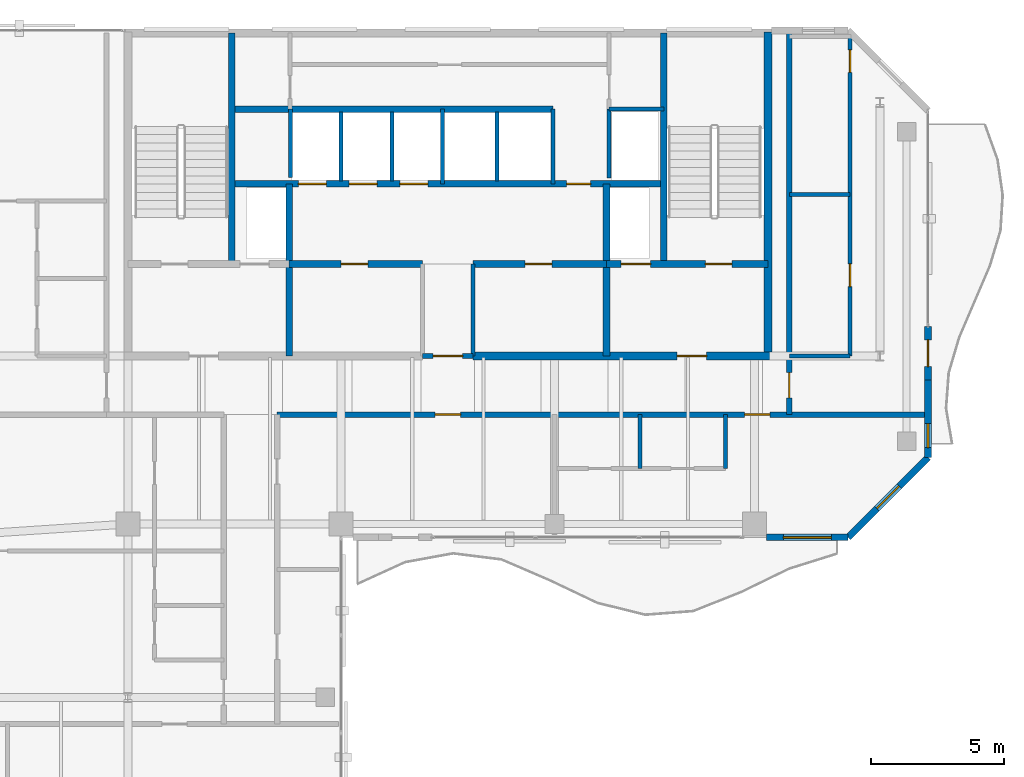
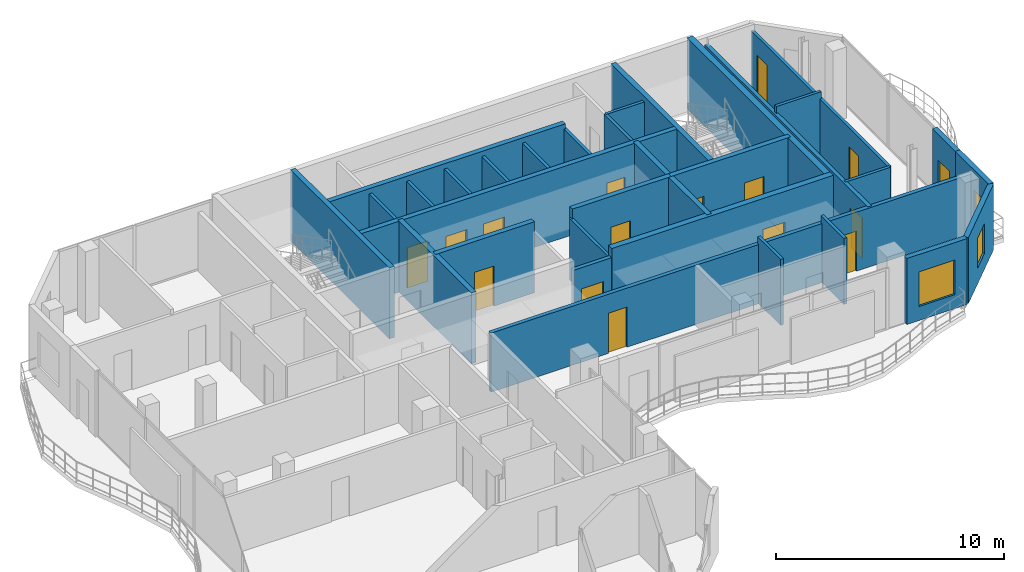
# One storey, part 19 of 22: 32 walls, 16 doors, 3 windows, 19 openings.
"""IFC4 building model written with IfcOpenShell, lengths in metres."""

from ifc_helpers import new_model, si_unit, direction, frame, frame_2d, origin, place, context, subcontext, project, spatial, rectangle, extrude, material, layer, layer_set, type_object, element, fill, save


model = new_model("IFC4")

# Units and contexts
model_context = context("Model", 3, precision=1e-05, world=origin(), true_north=direction((0.0, 1.0)))
body_context = subcontext(model_context, "Body", "Model", "MODEL_VIEW")
ifc_project = project(units=[si_unit("LENGTHUNIT", "METRE"), si_unit("AREAUNIT", "SQUARE_METRE"), si_unit("VOLUMEUNIT", "CUBIC_METRE"), si_unit("PLANEANGLEUNIT", "RADIAN"), si_unit("MASSUNIT", "GRAM", prefix="KILO")], contexts=[model_context])

# Site, building, storey
site_placement = place(None, origin())
site = spatial("IfcSite", under=ifc_project, at=site_placement, CompositionType="ELEMENT")
building_placement = place(site_placement, origin())
building = spatial("IfcBuilding", under=site, at=building_placement, Name="Catumbela Crestline Tower", CompositionType="ELEMENT")
storey_placement = place(building_placement, frame((0.0, 0.0, 256.4)))
storey = spatial("IfcBuildingStorey", under=building, at=storey_placement, Name="L66", CompositionType="ELEMENT", Elevation=256.4)

# Walls
ifc_material_1 = material(Name="Concrete C50/60", Category="concrete")
ifc_layer_1 = layer(ifc_material_1, 0.25, Name="Concrete C50/60")
ifc_layer_set_1 = layer_set([ifc_layer_1], Name="Concrete C50/60")
wall_type_1 = type_object("IfcWallType", Name="CW-250D", PredefinedType="SHEAR", material=ifc_layer_set_1)
for number, where, z_axis, x_axis, name in (
    (1, (19.9, 34.25, 0.0), (0.0, 0.0, 1.0), (0.0, 1.0, 0.0), "L66 Structural Core Shear Wall WWEB"),
    (2, (36.1, 34.25, 0.0), (0.0, 0.0, 1.0), (0.0, 1.0, 0.0), "L66 Structural Core Shear Wall EWEB"),
):
    element("IfcWall", number, at=place(storey_placement, frame(where, z_axis=z_axis, x_axis=x_axis)), inside=storey, type_object=wall_type_1, Name=name, PredefinedType="SHEAR", context=body_context, shape_type="SweptSolid", body=[
        extrude(rectangle(XDim=8.65, YDim=0.25, at=frame_2d((4.325, 0.0))), origin(), (0.0, 0.0, 1.0), 3.8),
    ])
for number, where, z_axis, x_axis, name in (
    (3, (22.05, 30.8, 0.0), (0.0, 0.0, 1.0), (0.0, 1.0, 0.0), "L66 Structural Core Shear Wall FFW"),
    (4, (33.95, 30.8, 0.0), (0.0, 0.0, 1.0), (0.0, 1.0, 0.0), "L66 Structural Core Shear Wall FFE"),
):
    element("IfcWall", number, at=place(storey_placement, frame(where, z_axis=z_axis, x_axis=x_axis)), inside=storey, type_object=wall_type_1, Name=name, PredefinedType="SHEAR", context=body_context, shape_type="SweptSolid", body=[
        extrude(rectangle(XDim=6.45, YDim=0.25, at=frame_2d((3.225, 0.0))), origin(), (0.0, 0.0, 1.0), 3.8),
    ])

# Wall, openings, doors
wall_1_placement = place(storey_placement, frame((33.95, 34.25, 0.0), z_axis=(0.0, 0.0, 1.0), x_axis=(1.0, 0.0, 0.0)))
wall_1 = element("IfcWall", 5, at=wall_1_placement, inside=storey, type_object=wall_type_1, Name="L66 Structural Core Shear Wall ST2S", PredefinedType="SHEAR", context=body_context, shape_type="SweptSolid", body=[
    extrude(rectangle(XDim=6.05, YDim=0.25, at=frame_2d((3.025, 0.0))), origin(), (0.0, 0.0, 1.0), 3.8),
])
opening_1_placement = place(wall_1_placement, frame((3.7, 0.0, 0.0)))
opening_1 = element("IfcOpeningElement", 6, at=opening_1_placement, cuts=wall_1, Name="Opening DF9-100", PredefinedType="OPENING", context=body_context, shape_type="SweptSolid", body=[
    extrude(rectangle(XDim=1.0, YDim=2.15, at=frame_2d((0.5, 1.075))), frame((0.0, 0.135, 0.0), z_axis=(0.0, -1.0, 0.0), x_axis=(1.0, 0.0, 0.0)), (0.0, 0.0, 1.0), 0.27),
])
opening_2_placement = place(wall_1_placement, frame((0.55, 0.0, 0.0)))
opening_2 = element("IfcOpeningElement", 7, at=opening_2_placement, cuts=wall_1, Name="Opening LD-110", PredefinedType="OPENING", context=body_context, shape_type="SweptSolid", body=[
    extrude(rectangle(XDim=1.1, YDim=2.15, at=frame_2d((0.55, 1.075))), frame((0.0, 0.135, 0.0), z_axis=(0.0, -1.0, 0.0), x_axis=(1.0, 0.0, 0.0)), (0.0, 0.0, 1.0), 0.27),
])
ifc_material_2 = material(Name="Stainless steel EN 1.4401", Category="steel")
door_type_1 = type_object("IfcDoorType", Name="DF9-100", OperationType="NOTDEFINED", PredefinedType="DOOR", material=ifc_material_2)
door_1_placement = place(opening_1_placement, origin())
door_1 = element("IfcDoor", 8, at=door_1_placement, inside=storey, type_object=door_type_1, Name="L66 Interior Door DR-L66-ST02", OperationType="SINGLE_SWING_RIGHT", OverallHeight=2.15, OverallWidth=1.0, PredefinedType="DOOR", context=body_context, shape_type="SweptSolid", body=[
    extrude(rectangle(XDim=1.0, YDim=2.15, at=frame_2d((0.5, 1.075))), frame((0.0, 0.025, 0.0), z_axis=(0.0, -1.0, 0.0), x_axis=(1.0, 0.0, 0.0)), (0.0, 0.0, 1.0), 0.05),
])
fill(opening_1, door_1)
door_type_2 = type_object("IfcDoorType", Name="LD-110", OperationType="NOTDEFINED", PredefinedType="DOOR", material=ifc_material_2)
door_2_placement = place(opening_2_placement, origin())
door_2 = element("IfcDoor", 9, at=door_2_placement, inside=storey, type_object=door_type_2, Name="L66 Lift Landing Sliding Door FL-02", OperationType="DOUBLE_DOOR_SLIDING", OverallHeight=2.15, OverallWidth=1.1, PredefinedType="DOOR", context=body_context, shape_type="SweptSolid", body=[
    extrude(rectangle(XDim=1.1, YDim=2.15, at=frame_2d((0.55, 1.075))), frame((0.0, 0.025, 0.0), z_axis=(0.0, -1.0, 0.0), x_axis=(1.0, 0.0, 0.0)), (0.0, 0.0, 1.0), 0.05),
])
fill(opening_2, door_2)

# Wall, opening, door
wall_2_placement = place(storey_placement, frame((22.05, 34.25, 0.0), z_axis=(0.0, 0.0, 1.0), x_axis=(1.0, 0.0, 0.0)))
wall_2 = element("IfcWall", 10, at=wall_2_placement, inside=storey, type_object=wall_type_1, Name="L66 Structural Core Shear Wall LIFTS-W", PredefinedType="SHEAR", context=body_context, shape_type="SweptSolid", body=[
    extrude(rectangle(XDim=5.0, YDim=0.25, at=frame_2d((2.5, 0.0))), origin(), (0.0, 0.0, 1.0), 3.8),
])
opening_3_placement = place(wall_2_placement, frame((1.95, 0.0, 0.0)))
opening_3 = element("IfcOpeningElement", 11, at=opening_3_placement, cuts=wall_2, Name="Opening DF9-100", PredefinedType="OPENING", context=body_context, shape_type="SweptSolid", body=[
    extrude(rectangle(XDim=1.0, YDim=2.15, at=frame_2d((0.5, 1.075))), frame((0.0, 0.135, 0.0), z_axis=(0.0, -1.0, 0.0), x_axis=(1.0, 0.0, 0.0)), (0.0, 0.0, 1.0), 0.27),
])
door_3_placement = place(opening_3_placement, origin())
door_3 = element("IfcDoor", 12, at=door_3_placement, inside=storey, type_object=door_type_1, Name="L66 Interior Door DR-L66-RECL1", OperationType="SINGLE_SWING_LEFT", OverallHeight=2.15, OverallWidth=1.0, PredefinedType="DOOR", context=body_context, shape_type="SweptSolid", body=[
    extrude(rectangle(XDim=1.0, YDim=2.15, at=frame_2d((0.5, 1.075))), frame((0.0, 0.025, 0.0), z_axis=(0.0, -1.0, 0.0), x_axis=(1.0, 0.0, 0.0)), (0.0, 0.0, 1.0), 0.05),
])
fill(opening_3, door_3)

wall_3_placement = place(storey_placement, frame((28.95, 34.25, 0.0), z_axis=(0.0, 0.0, 1.0), x_axis=(1.0, 0.0, 0.0)))
wall_3 = element("IfcWall", 13, at=wall_3_placement, inside=storey, type_object=wall_type_1, Name="L66 Structural Core Shear Wall LIFTS-E", PredefinedType="SHEAR", context=body_context, shape_type="SweptSolid", body=[
    extrude(rectangle(XDim=5.0, YDim=0.25, at=frame_2d((2.5, 0.0))), origin(), (0.0, 0.0, 1.0), 3.8),
])
opening_4_placement = place(wall_3_placement, frame((1.95, 0.0, 0.0)))
opening_4 = element("IfcOpeningElement", 14, at=opening_4_placement, cuts=wall_3, Name="Opening DF9-100", PredefinedType="OPENING", context=body_context, shape_type="SweptSolid", body=[
    extrude(rectangle(XDim=1.0, YDim=2.15, at=frame_2d((0.5, 1.075))), frame((0.0, 0.135, 0.0), z_axis=(0.0, -1.0, 0.0), x_axis=(1.0, 0.0, 0.0)), (0.0, 0.0, 1.0), 0.27),
])
door_4_placement = place(opening_4_placement, origin())
door_4 = element("IfcDoor", 15, at=door_4_placement, inside=storey, type_object=door_type_1, Name="L66 Interior Door DR-L66-RECL2", OperationType="SINGLE_SWING_RIGHT", OverallHeight=2.15, OverallWidth=1.0, PredefinedType="DOOR", context=body_context, shape_type="SweptSolid", body=[
    extrude(rectangle(XDim=1.0, YDim=2.15, at=frame_2d((0.5, 1.075))), frame((0.0, 0.025, 0.0), z_axis=(0.0, -1.0, 0.0), x_axis=(1.0, 0.0, 0.0)), (0.0, 0.0, 1.0), 0.05),
])
fill(opening_4, door_4)

# Wall, openings, doors
wall_4_placement = place(storey_placement, frame((19.9, 37.25, 0.0), z_axis=(0.0, 0.0, 1.0), x_axis=(1.0, 0.0, 0.0)))
wall_4 = element("IfcWall", 16, at=wall_4_placement, inside=storey, type_object=wall_type_1, Name="L66 Structural Core Shear Wall LIFTN", PredefinedType="SHEAR", context=body_context, shape_type="SweptSolid", body=[
    extrude(rectangle(XDim=16.2, YDim=0.25, at=frame_2d((8.1, 0.0))), origin(), (0.0, 0.0, 1.0), 3.8),
])
opening_5_placement = place(wall_4_placement, frame((12.55, 0.0, 0.0)))
opening_5 = element("IfcOpeningElement", 17, at=opening_5_placement, cuts=wall_4, Name="Opening DF9-090", PredefinedType="OPENING", context=body_context, shape_type="SweptSolid", body=[
    extrude(rectangle(XDim=0.9, YDim=2.15, at=frame_2d((0.45, 1.075))), frame((0.0, 0.135, 0.0), z_axis=(0.0, -1.0, 0.0), x_axis=(1.0, 0.0, 0.0)), (0.0, 0.0, 1.0), 0.27),
])
opening_6_placement = place(wall_4_placement, frame((2.5, 0.0, 0.0)))
opening_6 = element("IfcOpeningElement", 18, at=opening_6_placement, cuts=wall_4, Name="Opening LD-105", PredefinedType="OPENING", context=body_context, shape_type="SweptSolid", body=[
    extrude(rectangle(XDim=1.05, YDim=2.15, at=frame_2d((0.525, 1.075))), frame((0.0, 0.135, 0.0), z_axis=(0.0, -1.0, 0.0), x_axis=(1.0, 0.0, 0.0)), (0.0, 0.0, 1.0), 0.27),
])
opening_7_placement = place(wall_4_placement, frame((4.4, 0.0, 0.0)))
opening_7 = element("IfcOpeningElement", 19, at=opening_7_placement, cuts=wall_4, Name="Opening LD-105", PredefinedType="OPENING", context=body_context, shape_type="SweptSolid", body=[
    extrude(rectangle(XDim=1.05, YDim=2.15, at=frame_2d((0.525, 1.075))), frame((0.0, 0.135, 0.0), z_axis=(0.0, -1.0, 0.0), x_axis=(1.0, 0.0, 0.0)), (0.0, 0.0, 1.0), 0.27),
])
opening_8_placement = place(wall_4_placement, frame((6.3, 0.0, 0.0)))
opening_8 = element("IfcOpeningElement", 20, at=opening_8_placement, cuts=wall_4, Name="Opening LD-105", PredefinedType="OPENING", context=body_context, shape_type="SweptSolid", body=[
    extrude(rectangle(XDim=1.05, YDim=2.15, at=frame_2d((0.525, 1.075))), frame((0.0, 0.135, 0.0), z_axis=(0.0, -1.0, 0.0), x_axis=(1.0, 0.0, 0.0)), (0.0, 0.0, 1.0), 0.27),
])
door_type_3 = type_object("IfcDoorType", Name="DF9-090", OperationType="NOTDEFINED", PredefinedType="DOOR", material=ifc_material_2)
door_5_placement = place(opening_5_placement, origin())
door_5 = element("IfcDoor", 21, at=door_5_placement, inside=storey, type_object=door_type_3, Name="L66 Interior Door DR-L66-CPAS1", OperationType="SINGLE_SWING_LEFT", OverallHeight=2.15, OverallWidth=0.9, PredefinedType="DOOR", context=body_context, shape_type="SweptSolid", body=[
    extrude(rectangle(XDim=0.9, YDim=2.15, at=frame_2d((0.45, 1.075))), frame((0.0, 0.025, 0.0), z_axis=(0.0, -1.0, 0.0), x_axis=(1.0, 0.0, 0.0)), (0.0, 0.0, 1.0), 0.05),
])
fill(opening_5, door_5)
door_type_4 = type_object("IfcDoorType", Name="LD-105", OperationType="NOTDEFINED", PredefinedType="DOOR", material=ifc_material_2)
door_6_placement = place(opening_6_placement, origin())
door_6 = element("IfcDoor", 22, at=door_6_placement, inside=storey, type_object=door_type_4, Name="L66 Lift Landing Sliding Door PL-H1", OperationType="DOUBLE_DOOR_SLIDING", OverallHeight=2.15, OverallWidth=1.05, PredefinedType="DOOR", context=body_context, shape_type="SweptSolid", body=[
    extrude(rectangle(XDim=1.05, YDim=2.15, at=frame_2d((0.525, 1.075))), frame((0.0, 0.025, 0.0), z_axis=(0.0, -1.0, 0.0), x_axis=(1.0, 0.0, 0.0)), (0.0, 0.0, 1.0), 0.05),
])
fill(opening_6, door_6)
door_7_placement = place(opening_7_placement, origin())
door_7 = element("IfcDoor", 23, at=door_7_placement, inside=storey, type_object=door_type_4, Name="L66 Lift Landing Sliding Door PL-H2", OperationType="DOUBLE_DOOR_SLIDING", OverallHeight=2.15, OverallWidth=1.05, PredefinedType="DOOR", context=body_context, shape_type="SweptSolid", body=[
    extrude(rectangle(XDim=1.05, YDim=2.15, at=frame_2d((0.525, 1.075))), frame((0.0, 0.025, 0.0), z_axis=(0.0, -1.0, 0.0), x_axis=(1.0, 0.0, 0.0)), (0.0, 0.0, 1.0), 0.05),
])
fill(opening_7, door_7)
door_8_placement = place(opening_8_placement, origin())
door_8 = element("IfcDoor", 24, at=door_8_placement, inside=storey, type_object=door_type_4, Name="L66 Lift Landing Sliding Door PL-H3", OperationType="DOUBLE_DOOR_SLIDING", OverallHeight=2.15, OverallWidth=1.05, PredefinedType="DOOR", context=body_context, shape_type="SweptSolid", body=[
    extrude(rectangle(XDim=1.05, YDim=2.15, at=frame_2d((0.525, 1.075))), frame((0.0, 0.025, 0.0), z_axis=(0.0, -1.0, 0.0), x_axis=(1.0, 0.0, 0.0)), (0.0, 0.0, 1.0), 0.05),
])
fill(opening_8, door_8)

# Walls
wall_5_placement = place(storey_placement, frame((19.9, 40.05, 0.0), z_axis=(0.0, 0.0, 1.0), x_axis=(1.0, 0.0, 0.0)))
element("IfcWall", 25, at=wall_5_placement, inside=storey, type_object=wall_type_1, Name="L66 Structural Core Shear Wall COREN", PredefinedType="SHEAR", context=body_context, shape_type="SweptSolid", body=[
    extrude(rectangle(XDim=12.05, YDim=0.25, at=frame_2d((6.025, 0.0))), origin(), (0.0, 0.0, 1.0), 3.8),
])
ifc_material_3 = material(Name="Concrete C45/55", Category="concrete")
ifc_layer_2 = layer(ifc_material_3, 0.3, Name="Concrete C45/55")
ifc_layer_set_2 = layer_set([ifc_layer_2], Name="Concrete C45/55")
wall_type_2 = type_object("IfcWallType", Name="CW-300C", PredefinedType="SHEAR", material=ifc_layer_set_2)
wall_6_placement = place(storey_placement, frame((40.0, 30.65, 0.0), z_axis=(0.0, 0.0, 1.0), x_axis=(0.0, 1.0, 0.0)))
element("IfcWall", 26, at=wall_6_placement, inside=storey, type_object=wall_type_2, Name="L66 Structural Core Shear Wall E", PredefinedType="SHEAR", context=body_context, shape_type="SweptSolid", body=[
    extrude(rectangle(XDim=12.3, YDim=0.3, at=frame_2d((6.15, 0.0))), origin(), (0.0, 0.0, 1.0), 3.8),
])

# Wall, opening, door
wall_7_placement = place(storey_placement, frame((28.95, 30.8, 0.0), z_axis=(0.0, 0.0, 1.0), x_axis=(1.0, 0.0, 0.0)))
wall_7 = element("IfcWall", 27, at=wall_7_placement, inside=storey, type_object=wall_type_2, Name="L66 Structural Core Shear Wall SE", PredefinedType="SHEAR", context=body_context, shape_type="SweptSolid", body=[
    extrude(rectangle(XDim=11.2, YDim=0.3, at=frame_2d((5.6, 0.0))), origin(), (0.0, 0.0, 1.0), 3.8),
])
opening_9_placement = place(wall_7_placement, frame((7.65, 0.0, 0.0)))
opening_9 = element("IfcOpeningElement", 28, at=opening_9_placement, cuts=wall_7, Name="Opening DF9-110", PredefinedType="OPENING", context=body_context, shape_type="SweptSolid", body=[
    extrude(rectangle(XDim=1.1, YDim=2.15, at=frame_2d((0.55, 1.075))), frame((0.0, 0.16, 0.0), z_axis=(0.0, -1.0, 0.0), x_axis=(1.0, 0.0, 0.0)), (0.0, 0.0, 1.0), 0.32),
])
door_type_5 = type_object("IfcDoorType", Name="DF9-110", OperationType="NOTDEFINED", PredefinedType="DOOR", material=ifc_material_2)
door_9_placement = place(opening_9_placement, origin())
door_9 = element("IfcDoor", 29, at=door_9_placement, inside=storey, type_object=door_type_5, Name="L66 Interior Door DR-L66-FFE-S", OperationType="SINGLE_SWING_RIGHT", OverallHeight=2.15, OverallWidth=1.1, PredefinedType="DOOR", context=body_context, shape_type="SweptSolid", body=[
    extrude(rectangle(XDim=1.1, YDim=2.15, at=frame_2d((0.55, 1.075))), frame((0.0, 0.025, 0.0), z_axis=(0.0, -1.0, 0.0), x_axis=(1.0, 0.0, 0.0)), (0.0, 0.0, 1.0), 0.05),
])
fill(opening_9, door_9)

ifc_material_4 = material(Name="Acoustic gypsum and mineral-wool partition")
ifc_layer_3 = layer(ifc_material_4, 0.2, Name="Acoustic gypsum and mineral-wool partition")
ifc_layer_set_3 = layer_set([ifc_layer_3], Name="Acoustic gypsum and mineral-wool partition")
wall_type_3 = type_object("IfcWallType", Name="WC-200", PredefinedType="PARTITIONING", material=ifc_layer_set_3)
wall_8_placement = place(storey_placement, frame((27.05, 30.8, 0.0), z_axis=(0.0, 0.0, 1.0), x_axis=(1.0, 0.0, 0.0)))
wall_8 = element("IfcWall", 30, at=wall_8_placement, inside=storey, type_object=wall_type_3, Name="L66 Interior Partition PW-L66-CLOBS", PredefinedType="PARTITIONING", context=body_context, shape_type="SweptSolid", body=[
    extrude(rectangle(XDim=1.9, YDim=0.2, at=frame_2d((0.95, 0.0))), origin(), (0.0, 0.0, 1.0), 3.28),
])
opening_10_placement = place(wall_8_placement, frame((0.4, 0.0, 0.0)))
opening_10 = element("IfcOpeningElement", 31, at=opening_10_placement, cuts=wall_8, Name="Opening DF9-110", PredefinedType="OPENING", context=body_context, shape_type="SweptSolid", body=[
    extrude(rectangle(XDim=1.1, YDim=2.15, at=frame_2d((0.55, 1.075))), frame((0.0, 0.11, 0.0), z_axis=(0.0, -1.0, 0.0), x_axis=(1.0, 0.0, 0.0)), (0.0, 0.0, 1.0), 0.22),
])
door_10_placement = place(opening_10_placement, origin())
door_10 = element("IfcDoor", 32, at=door_10_placement, inside=storey, type_object=door_type_5, Name="L66 Interior Door DR-L66-CLOBS", OperationType="SINGLE_SWING_LEFT", OverallHeight=2.15, OverallWidth=1.1, PredefinedType="DOOR", context=body_context, shape_type="SweptSolid", body=[
    extrude(rectangle(XDim=1.1, YDim=2.15, at=frame_2d((0.55, 1.075))), frame((0.0, 0.025, 0.0), z_axis=(0.0, -1.0, 0.0), x_axis=(1.0, 0.0, 0.0)), (0.0, 0.0, 1.0), 0.05),
])
fill(opening_10, door_10)

# Wall, openings, doors
wall_9_placement = place(storey_placement, frame((21.6, 28.6, 0.0), z_axis=(0.0, 0.0, 1.0), x_axis=(1.0, 0.0, 0.0)))
wall_9 = element("IfcWall", 33, at=wall_9_placement, inside=storey, type_object=wall_type_3, Name="L66 Interior Partition PW-L66-RCWR", PredefinedType="PARTITIONING", context=body_context, shape_type="SweptSolid", body=[
    extrude(rectangle(XDim=24.3, YDim=0.2, at=frame_2d((12.15, 0.0))), origin(), (0.0, 0.0, 1.0), 3.16),
])
opening_11_placement = place(wall_9_placement, frame((5.925, 0.0, 0.0)))
opening_11 = element("IfcOpeningElement", 34, at=opening_11_placement, cuts=wall_9, Name="Opening DF6-095", PredefinedType="OPENING", context=body_context, shape_type="SweptSolid", body=[
    extrude(rectangle(XDim=0.95, YDim=2.15, at=frame_2d((0.475, 1.075))), frame((0.0, 0.11, 0.0), z_axis=(0.0, -1.0, 0.0), x_axis=(1.0, 0.0, 0.0)), (0.0, 0.0, 1.0), 0.22),
])
opening_12_placement = place(wall_9_placement, frame((17.525, 0.0, 0.0)))
opening_12 = element("IfcOpeningElement", 35, at=opening_12_placement, cuts=wall_9, Name="Opening DF6-095", PredefinedType="OPENING", context=body_context, shape_type="SweptSolid", body=[
    extrude(rectangle(XDim=0.95, YDim=2.15, at=frame_2d((0.475, 1.075))), frame((0.0, 0.11, 0.0), z_axis=(0.0, -1.0, 0.0), x_axis=(1.0, 0.0, 0.0)), (0.0, 0.0, 1.0), 0.22),
])
ifc_material_5 = material(Name="Aluminium alloy AW-6060-T66", Category="aluminium")
door_type_6 = type_object("IfcDoorType", Name="DF6-095", OperationType="NOTDEFINED", PredefinedType="DOOR", material=ifc_material_5)
door_11_placement = place(opening_11_placement, origin())
door_11 = element("IfcDoor", 36, at=door_11_placement, inside=storey, type_object=door_type_6, Name="L66 Interior Door DR-L66-Z4G3O-ENT", OperationType="SINGLE_SWING_RIGHT", OverallHeight=2.15, OverallWidth=0.95, PredefinedType="DOOR", context=body_context, shape_type="SweptSolid", body=[
    extrude(rectangle(XDim=0.95, YDim=2.15, at=frame_2d((0.475, 1.075))), frame((0.0, 0.025, 0.0), z_axis=(0.0, -1.0, 0.0), x_axis=(1.0, 0.0, 0.0)), (0.0, 0.0, 1.0), 0.05),
])
fill(opening_11, door_11)
door_12_placement = place(opening_12_placement, origin())
door_12 = element("IfcDoor", 37, at=door_12_placement, inside=storey, type_object=door_type_6, Name="L66 Interior Door DR-L66-S2-ENT", OperationType="SINGLE_SWING_RIGHT", OverallHeight=2.15, OverallWidth=0.95, PredefinedType="DOOR", context=body_context, shape_type="SweptSolid", body=[
    extrude(rectangle(XDim=0.95, YDim=2.15, at=frame_2d((0.475, 1.075))), frame((0.0, 0.025, 0.0), z_axis=(0.0, -1.0, 0.0), x_axis=(1.0, 0.0, 0.0)), (0.0, 0.0, 1.0), 0.05),
])
fill(opening_12, door_12)

# Wall, opening, door
wall_10_placement = place(storey_placement, frame((40.8, 28.6, 0.0), z_axis=(0.0, 0.0, 1.0), x_axis=(0.0, 1.0, 0.0)))
wall_10 = element("IfcWall", 38, at=wall_10_placement, inside=storey, type_object=wall_type_3, Name="L66 Interior Partition PW-L66-NE1-ENT", PredefinedType="PARTITIONING", context=body_context, shape_type="SweptSolid", body=[
    extrude(rectangle(XDim=14.3, YDim=0.2, at=frame_2d((7.15, 0.0))), origin(), (0.0, 0.0, 1.0), 3.16),
])
opening_13_placement = place(wall_10_placement, frame((0.625, 0.0, 0.0)))
opening_13 = element("IfcOpeningElement", 39, at=opening_13_placement, cuts=wall_10, Name="Opening DF6-095", PredefinedType="OPENING", context=body_context, shape_type="SweptSolid", body=[
    extrude(rectangle(XDim=0.95, YDim=2.15, at=frame_2d((0.475, 1.075))), frame((0.0, 0.11, 0.0), z_axis=(0.0, -1.0, 0.0), x_axis=(1.0, 0.0, 0.0)), (0.0, 0.0, 1.0), 0.22),
])
door_13_placement = place(opening_13_placement, origin())
door_13 = element("IfcDoor", 40, at=door_13_placement, inside=storey, type_object=door_type_6, Name="L66 Interior Door DR-L66-NE1-ENT", OperationType="SINGLE_SWING_LEFT", OverallHeight=2.15, OverallWidth=0.95, PredefinedType="DOOR", context=body_context, shape_type="SweptSolid", body=[
    extrude(rectangle(XDim=0.95, YDim=2.15, at=frame_2d((0.475, 1.075))), frame((0.0, 0.025, 0.0), z_axis=(0.0, -1.0, 0.0), x_axis=(1.0, 0.0, 0.0)), (0.0, 0.0, 1.0), 0.05),
])
fill(opening_13, door_13)

# Wall, opening, window
ifc_material_6 = material(Name="Angolan grey-ochre granite", Category="masonry")
ifc_layer_4 = layer(ifc_material_6, 0.25, Name="Angolan grey-ochre granite")
ifc_layer_set_4 = layer_set([ifc_layer_4], Name="Angolan grey-ochre granite")
wall_type_4 = type_object("IfcWallType", Name="WE-250", PredefinedType="STANDARD", material=ifc_layer_set_4)
wall_11_placement = place(storey_placement, frame((39.95, 24.0, 0.0), z_axis=(0.0, 0.0, 1.0), x_axis=(1.0, 0.0, 0.0)))
wall_11 = element("IfcWall", 41, at=wall_11_placement, inside=storey, type_object=wall_type_4, Name="L66 Granite Punched Window Wall 3-3", PredefinedType="STANDARD", context=body_context, shape_type="SweptSolid", body=[
    extrude(rectangle(XDim=3.05, YDim=0.25, at=frame_2d((1.525, 0.0))), origin(), (0.0, 0.0, 1.0), 3.53),
])
opening_14_placement = place(wall_11_placement, frame((0.625, 0.0, 0.75)))
opening_14 = element("IfcOpeningElement", 42, at=opening_14_placement, cuts=wall_11, Name="Opening WN-01", PredefinedType="OPENING", context=body_context, shape_type="SweptSolid", body=[
    extrude(rectangle(XDim=1.8, YDim=1.85, at=frame_2d((0.9, 0.925))), frame((0.0, 0.135, 0.0), z_axis=(0.0, -1.0, 0.0), x_axis=(1.0, 0.0, 0.0)), (0.0, 0.0, 1.0), 0.27),
])
ifc_material_7 = material(Name="Low-E laminated solar-control double glazing", Category="glass")
window_type_1 = type_object("IfcWindowType", Name="WF-1800", PartitioningType="SINGLE_PANEL", PredefinedType="WINDOW", material=ifc_material_7)
window_1_placement = place(opening_14_placement, origin())
window_1 = element("IfcWindow", 43, at=window_1_placement, inside=storey, type_object=window_type_1, Name="L66 Facade Vision Window 507", OverallHeight=1.85, OverallWidth=1.8, PartitioningType="SINGLE_PANEL", PredefinedType="WINDOW", context=body_context, shape_type="SweptSolid", body=[
    extrude(rectangle(XDim=1.8, YDim=1.85, at=frame_2d((0.9, 0.925))), frame((0.0, 0.03, 0.0), z_axis=(0.0, -1.0, 0.0), x_axis=(1.0, 0.0, 0.0)), (0.0, 0.0, 1.0), 0.06),
])
fill(opening_14, window_1)

wall_12_placement = place(storey_placement, frame((43.0, 24.0, 0.0), z_axis=(0.0, 0.0, 1.0), x_axis=(0.707106781187, 0.707106781187, 0.0)))
wall_12 = element("IfcWall", 44, at=wall_12_placement, inside=storey, type_object=wall_type_4, Name="L66 Granite Punched Window Wall 4-1", PredefinedType="STANDARD", context=body_context, shape_type="SweptSolid", body=[
    extrude(rectangle(XDim=4.2426, YDim=0.25, at=frame_2d((2.1213, 0.0))), origin(), (0.0, 0.0, 1.0), 3.53),
])
opening_15_placement = place(wall_12_placement, frame((1.5213, 0.0, 0.85)))
opening_15 = element("IfcOpeningElement", 45, at=opening_15_placement, cuts=wall_12, Name="Opening WN-02", PredefinedType="OPENING", context=body_context, shape_type="SweptSolid", body=[
    extrude(rectangle(XDim=1.2, YDim=1.6, at=frame_2d((0.6, 0.8))), frame((0.0, 0.135, 0.0), z_axis=(0.0, -1.0, 0.0), x_axis=(1.0, 0.0, 0.0)), (0.0, 0.0, 1.0), 0.27),
])
window_type_2 = type_object("IfcWindowType", Name="WO-1200", PartitioningType="SINGLE_PANEL", PredefinedType="WINDOW", material=ifc_material_7)
window_2_placement = place(opening_15_placement, origin())
window_2 = element("IfcWindow", 46, at=window_2_placement, inside=storey, type_object=window_type_2, Name="L66 Facade Vision Window 508", OverallHeight=1.6, OverallWidth=1.2, PartitioningType="SINGLE_PANEL", PredefinedType="WINDOW", context=body_context, shape_type="SweptSolid", body=[
    extrude(rectangle(XDim=1.2, YDim=1.6, at=frame_2d((0.6, 0.8))), frame((0.0, 0.03, 0.0), z_axis=(0.0, -1.0, 0.0), x_axis=(1.0, 0.0, 0.0)), (0.0, 0.0, 1.0), 0.06),
])
fill(opening_15, window_2)

# Wall, opening, door
wall_13_placement = place(storey_placement, frame((46.0, 29.9, 0.0), z_axis=(0.0, 0.0, 1.0), x_axis=(0.0, 1.0, 0.0)))
wall_13 = element("IfcWall", 47, at=wall_13_placement, inside=storey, type_object=wall_type_4, Name="L66 Exterior Threshold Portal Wall DR-L66-WBAL-2", PredefinedType="STANDARD", context=body_context, shape_type="SweptSolid", body=[
    extrude(rectangle(XDim=2.0, YDim=0.25, at=frame_2d((1.0, 0.0))), origin(), (0.0, 0.0, 1.0), 3.53),
])
opening_16_placement = place(wall_13_placement, frame((0.5, 0.0, 0.0)))
opening_16 = element("IfcOpeningElement", 48, at=opening_16_placement, cuts=wall_13, Name="Opening DB-L66-2", PredefinedType="OPENING", context=body_context, shape_type="SweptSolid", body=[
    extrude(rectangle(XDim=1.0, YDim=2.15, at=frame_2d((0.5, 1.075))), frame((0.0, 0.135, 0.0), z_axis=(0.0, -1.0, 0.0), x_axis=(1.0, 0.0, 0.0)), (0.0, 0.0, 1.0), 0.27),
])
door_type_7 = type_object("IfcDoorType", Name="DB-1000", OperationType="NOTDEFINED", PredefinedType="DOOR", material=ifc_material_5)
door_14_placement = place(opening_16_placement, origin())
door_14 = element("IfcDoor", 49, at=door_14_placement, inside=storey, type_object=door_type_7, Name="L66 Wave Balcony Terrace Door 2", OperationType="SINGLE_SWING_LEFT", OverallHeight=2.15, OverallWidth=1.0, PredefinedType="DOOR", context=body_context, shape_type="SweptSolid", body=[
    extrude(rectangle(XDim=1.0, YDim=2.15, at=frame_2d((0.5, 1.075))), frame((0.0, 0.025, 0.0), z_axis=(0.0, -1.0, 0.0), x_axis=(1.0, 0.0, 0.0)), (0.0, 0.0, 1.0), 0.05),
])
fill(opening_16, door_14)

# Wall, opening, window
wall_14_placement = place(storey_placement, frame((46.0, 27.0, 0.0), z_axis=(0.0, 0.0, 1.0), x_axis=(0.0, 1.0, 0.0)))
wall_14 = element("IfcWall", 50, at=wall_14_placement, inside=storey, type_object=wall_type_4, Name="L66 Granite Punched Window Wall 5-1", PredefinedType="STANDARD", context=body_context, shape_type="SweptSolid", body=[
    extrude(rectangle(XDim=2.9, YDim=0.25, at=frame_2d((1.45, 0.0))), origin(), (0.0, 0.0, 1.0), 3.53),
])
opening_17_placement = place(wall_14_placement, frame((0.36, 0.0, 0.9)))
opening_17 = element("IfcOpeningElement", 51, at=opening_17_placement, cuts=wall_14, Name="Opening WN-03", PredefinedType="OPENING", context=body_context, shape_type="SweptSolid", body=[
    extrude(rectangle(XDim=0.9, YDim=1.55, at=frame_2d((0.45, 0.775))), frame((0.0, 0.135, 0.0), z_axis=(0.0, -1.0, 0.0), x_axis=(1.0, 0.0, 0.0)), (0.0, 0.0, 1.0), 0.27),
])
window_type_3 = type_object("IfcWindowType", Name="WO-0900", PartitioningType="SINGLE_PANEL", PredefinedType="WINDOW", material=ifc_material_7)
window_3_placement = place(opening_17_placement, origin())
window_3 = element("IfcWindow", 52, at=window_3_placement, inside=storey, type_object=window_type_3, Name="L66 Facade Vision Window 509", OverallHeight=1.55, OverallWidth=0.9, PartitioningType="SINGLE_PANEL", PredefinedType="WINDOW", context=body_context, shape_type="SweptSolid", body=[
    extrude(rectangle(XDim=0.9, YDim=1.55, at=frame_2d((0.45, 0.775))), frame((0.0, 0.03, 0.0), z_axis=(0.0, -1.0, 0.0), x_axis=(1.0, 0.0, 0.0)), (0.0, 0.0, 1.0), 0.06),
])
fill(opening_17, window_3)

# Walls
ifc_layer_5 = layer(ifc_material_4, 0.15, Name="Acoustic gypsum and mineral-wool partition")
ifc_layer_set_5 = layer_set([ifc_layer_5], Name="Acoustic gypsum and mineral-wool partition")
wall_type_5 = type_object("IfcWallType", Name="WP-150", PredefinedType="PARTITIONING", material=ifc_layer_set_5)
wall_15_placement = place(storey_placement, frame((34.05, 40.05, 0.0), z_axis=(0.0, 0.0, 1.0), x_axis=(1.0, 0.0, 0.0)))
element("IfcWall", 53, at=wall_15_placement, inside=storey, type_object=wall_type_5, Name="L66 Interior Partition PW-L66-CR-ES", PredefinedType="PARTITIONING", context=body_context, shape_type="SweptSolid", body=[
    extrude(rectangle(XDim=2.05, YDim=0.15, at=frame_2d((1.025, 0.0))), origin(), (0.0, 0.0, 1.0), 3.53),
])
wall_16_placement = place(storey_placement, frame((40.8, 30.8, 0.0), z_axis=(0.0, 0.0, 1.0), x_axis=(1.0, 0.0, 0.0)))
element("IfcWall", 54, at=wall_16_placement, inside=storey, type_object=wall_type_5, Name="L66 Interior Partition PW-L66-NE1-KBS", PredefinedType="PARTITIONING", context=body_context, shape_type="SweptSolid", body=[
    extrude(rectangle(XDim=2.28, YDim=0.15, at=frame_2d((1.14, 0.0))), origin(), (0.0, 0.0, 1.0), 3.16),
])
wall_17_placement = place(storey_placement, frame((40.8, 36.85, 0.0), z_axis=(0.0, 0.0, 1.0), x_axis=(1.0, 0.0, 0.0)))
element("IfcWall", 55, at=wall_17_placement, inside=storey, type_object=wall_type_5, Name="L66 Interior Partition PW-L66-NE1-KBM", PredefinedType="PARTITIONING", context=body_context, shape_type="SweptSolid", body=[
    extrude(rectangle(XDim=2.28, YDim=0.15, at=frame_2d((1.14, 0.0))), origin(), (0.0, 0.0, 1.0), 3.53),
])

# Wall, openings, doors
wall_18_placement = place(storey_placement, frame((43.08, 30.8, 0.0), z_axis=(0.0, 0.0, 1.0), x_axis=(0.0, 1.0, 0.0)))
wall_18 = element("IfcWall", 56, at=wall_18_placement, inside=storey, type_object=wall_type_5, Name="L66 Interior Partition PW-L66-NE1-SK1", PredefinedType="PARTITIONING", context=body_context, shape_type="SweptSolid", body=[
    extrude(rectangle(XDim=12.02, YDim=0.15, at=frame_2d((6.01, 0.0))), origin(), (0.0, 0.0, 1.0), 3.16),
])
opening_18_placement = place(wall_18_placement, frame((2.6, 0.0, 0.0)))
opening_18 = element("IfcOpeningElement", 57, at=opening_18_placement, cuts=wall_18, Name="Opening DI-085", PredefinedType="OPENING", context=body_context, shape_type="SweptSolid", body=[
    extrude(rectangle(XDim=0.85, YDim=2.15, at=frame_2d((0.425, 1.075))), frame((0.0, 0.085, 0.0), z_axis=(0.0, -1.0, 0.0), x_axis=(1.0, 0.0, 0.0)), (0.0, 0.0, 1.0), 0.17),
])
opening_19_placement = place(wall_18_placement, frame((10.6287, 0.0, 0.0)))
opening_19 = element("IfcOpeningElement", 58, at=opening_19_placement, cuts=wall_18, Name="Opening DI-085", PredefinedType="OPENING", context=body_context, shape_type="SweptSolid", body=[
    extrude(rectangle(XDim=0.85, YDim=2.15, at=frame_2d((0.425, 1.075))), frame((0.0, 0.085, 0.0), z_axis=(0.0, -1.0, 0.0), x_axis=(1.0, 0.0, 0.0)), (0.0, 0.0, 1.0), 0.17),
])
door_type_8 = type_object("IfcDoorType", Name="DI-085", OperationType="NOTDEFINED", PredefinedType="DOOR", material=ifc_material_5)
door_15_placement = place(opening_18_placement, origin())
door_15 = element("IfcDoor", 59, at=door_15_placement, inside=storey, type_object=door_type_8, Name="L66 Interior Door DR-L66-NE1-KIT", OperationType="SINGLE_SWING_LEFT", OverallHeight=2.15, OverallWidth=0.85, PredefinedType="DOOR", context=body_context, shape_type="SweptSolid", body=[
    extrude(rectangle(XDim=0.85, YDim=2.15, at=frame_2d((0.425, 1.075))), frame((0.0, 0.025, 0.0), z_axis=(0.0, -1.0, 0.0), x_axis=(1.0, 0.0, 0.0)), (0.0, 0.0, 1.0), 0.05),
])
fill(opening_18, door_15)
door_16_placement = place(opening_19_placement, origin())
door_16 = element("IfcDoor", 60, at=door_16_placement, inside=storey, type_object=door_type_8, Name="L66 Interior Door DR-L66-NE1-BTH", OperationType="SINGLE_SWING_RIGHT", OverallHeight=2.15, OverallWidth=0.85, PredefinedType="DOOR", context=body_context, shape_type="SweptSolid", body=[
    extrude(rectangle(XDim=0.85, YDim=2.15, at=frame_2d((0.425, 1.075))), frame((0.0, 0.025, 0.0), z_axis=(0.0, -1.0, 0.0), x_axis=(1.0, 0.0, 0.0)), (0.0, 0.0, 1.0), 0.05),
])
fill(opening_19, door_16)

# Walls
for number, where, z_axis, x_axis, name in (
    (61, (38.4, 26.576, 0.0), (0.0, 0.0, 1.0), (0.0, 1.0, 0.0), "L66 Interior Partition PW-L66-S2-KBE"),
    (62, (35.2, 26.576, 0.0), (0.0, 0.0, 1.0), (0.0, 1.0, 0.0), "L66 Interior Partition PW-L66-S2-KBM"),
):
    element("IfcWall", number, at=place(storey_placement, frame(where, z_axis=z_axis, x_axis=x_axis)), inside=storey, type_object=wall_type_5, Name=name, PredefinedType="PARTITIONING", context=body_context, shape_type="SweptSolid", body=[
        extrude(rectangle(XDim=2.024, YDim=0.15, at=frame_2d((1.012, 0.0))), origin(), (0.0, 0.0, 1.0), 3.53),
    ])
ifc_layer_6 = layer(ifc_material_4, 0.15, Name="Acoustic gypsum and mineral-wool partition")
ifc_layer_set_6 = layer_set([ifc_layer_6], Name="Acoustic gypsum and mineral-wool partition")
wall_type_6 = type_object("IfcWallType", Name="WS-150", PredefinedType="PLUMBINGWALL", material=ifc_layer_set_6)
wall_19_placement = place(storey_placement, frame((28.95, 30.8, 0.0), z_axis=(0.0, 0.0, 1.0), x_axis=(0.0, 1.0, 0.0)))
element("IfcWall", 63, at=wall_19_placement, inside=storey, type_object=wall_type_6, Name="L66 Interior Partition PW-L66-THRE", PredefinedType="PLUMBINGWALL", context=body_context, shape_type="SweptSolid", body=[
    extrude(rectangle(XDim=3.45, YDim=0.15, at=frame_2d((1.725, 0.0))), origin(), (0.0, 0.0, 1.0), 3.28),
])
wall_20_placement = place(storey_placement, frame((22.1, 37.4897, 0.0), z_axis=(0.0, 0.0, 1.0), x_axis=(0.0, 1.0, 0.0)))
element("IfcWall", 64, at=wall_20_placement, inside=storey, type_object=wall_type_6, Name="L66 Interior Partition PW-L66-SHH0", PredefinedType="PLUMBINGWALL", context=body_context, shape_type="SweptSolid", body=[
    extrude(rectangle(XDim=2.5603, YDim=0.15, at=frame_2d((1.2801, 0.0))), origin(), (0.0, 0.0, 1.0), 3.53),
])
wall_21_placement = place(storey_placement, frame((27.8, 37.25, 0.0), z_axis=(0.0, 0.0, 1.0), x_axis=(0.0, 1.0, 0.0)))
element("IfcWall", 65, at=wall_21_placement, inside=storey, type_object=wall_type_6, Name="L66 Interior Partition PW-L66-SHH3", PredefinedType="PLUMBINGWALL", context=body_context, shape_type="SweptSolid", body=[
    extrude(rectangle(XDim=2.8, YDim=0.15, at=frame_2d((1.4, 0.0))), origin(), (0.0, 0.0, 1.0), 3.53),
])
for number, where, z_axis, x_axis, name in (
    (66, (24.0, 37.35, 0.0), (0.0, 0.0, 1.0), (0.0, 1.0, 0.0), "L66 Interior Partition PW-L66-SHH1"),
    (67, (25.9, 37.35, 0.0), (0.0, 0.0, 1.0), (0.0, 1.0, 0.0), "L66 Interior Partition PW-L66-SHH2"),
):
    element("IfcWall", number, at=place(storey_placement, frame(where, z_axis=z_axis, x_axis=x_axis)), inside=storey, type_object=wall_type_6, Name=name, PredefinedType="PLUMBINGWALL", context=body_context, shape_type="SweptSolid", body=[
        extrude(rectangle(XDim=2.6, YDim=0.15, at=frame_2d((1.3, 0.0))), origin(), (0.0, 0.0, 1.0), 3.53),
    ])
wall_22_placement = place(storey_placement, frame((31.95, 37.25, 0.0), z_axis=(0.0, 0.0, 1.0), x_axis=(0.0, 1.0, 0.0)))
element("IfcWall", 68, at=wall_22_placement, inside=storey, type_object=wall_type_6, Name="L66 Interior Partition PW-L66-SHEX2E", PredefinedType="PLUMBINGWALL", context=body_context, shape_type="SweptSolid", body=[
    extrude(rectangle(XDim=2.8, YDim=0.15, at=frame_2d((1.4, 0.0))), origin(), (0.0, 0.0, 1.0), 3.53),
])
wall_23_placement = place(storey_placement, frame((29.85, 37.35, 0.0), z_axis=(0.0, 0.0, 1.0), x_axis=(0.0, 1.0, 0.0)))
element("IfcWall", 69, at=wall_23_placement, inside=storey, type_object=wall_type_6, Name="L66 Interior Partition PW-L66-SHEX1", PredefinedType="PLUMBINGWALL", context=body_context, shape_type="SweptSolid", body=[
    extrude(rectangle(XDim=2.6, YDim=0.15, at=frame_2d((1.3, 0.0))), origin(), (0.0, 0.0, 1.0), 3.53),
])
wall_24_placement = place(storey_placement, frame((34.05, 37.4734, 0.0), z_axis=(0.0, 0.0, 1.0), x_axis=(0.0, 1.0, 0.0)))
element("IfcWall", 70, at=wall_24_placement, inside=storey, type_object=wall_type_6, Name="L66 Interior Partition PW-L66-RISW", PredefinedType="PLUMBINGWALL", context=body_context, shape_type="SweptSolid", body=[
    extrude(rectangle(XDim=2.5766, YDim=0.15, at=frame_2d((1.2883, 0.0))), origin(), (0.0, 0.0, 1.0), 3.53),
])

save(model, "model.ifc")
